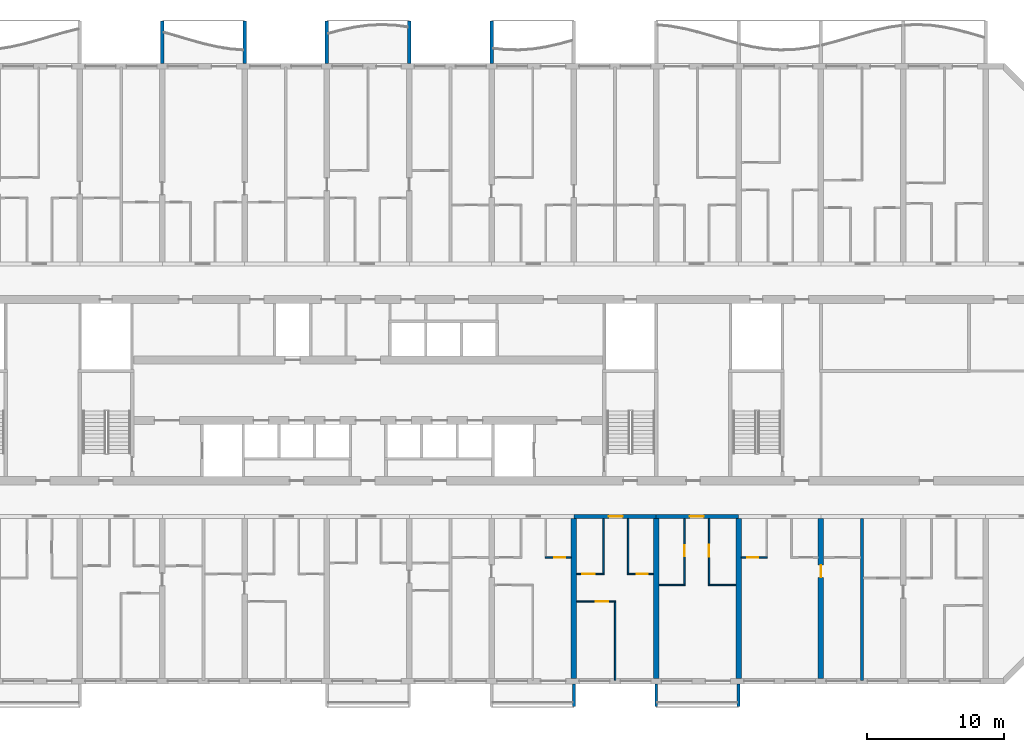
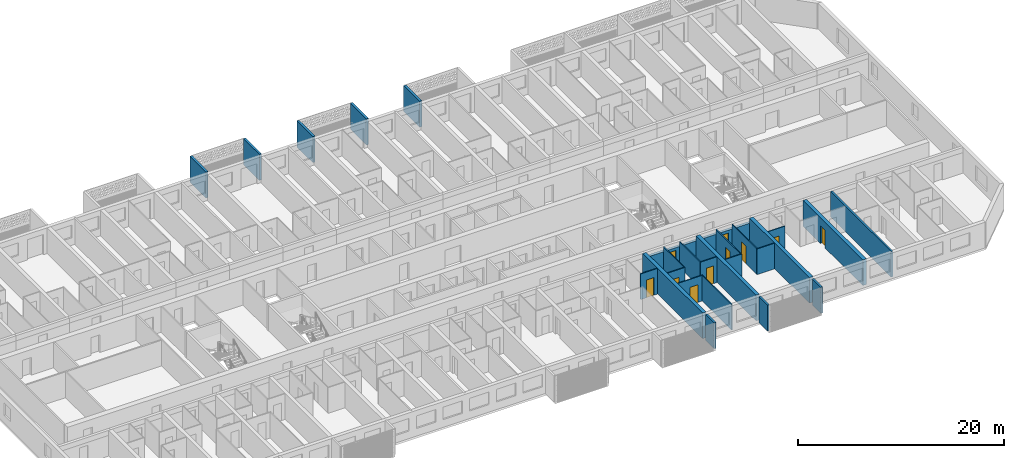
# One storey, part 14 of 40: 27 walls, 10 doors, 10 openings.
"""IFC4 building model written with IfcOpenShell, lengths in metres."""

from ifc_helpers import new_model, si_unit, direction, frame, frame_2d, origin, place, context, subcontext, project, spatial, polyline, rectangle, outline, extrude, source, transform, mapped, material, layer, layer_set, type_object, element, fill, save


model = new_model("IFC4")

# Units and contexts
model_context = context("Model", 3, precision=1e-05, world=origin(), true_north=direction((0.0, 1.0)))
body_context = subcontext(model_context, "Body", "Model", "MODEL_VIEW")
ifc_project = project(units=[si_unit("LENGTHUNIT", "METRE"), si_unit("AREAUNIT", "SQUARE_METRE"), si_unit("VOLUMEUNIT", "CUBIC_METRE"), si_unit("PLANEANGLEUNIT", "RADIAN"), si_unit("MASSUNIT", "GRAM", prefix="KILO")], contexts=[model_context])

# Site, building, storey
site_placement = place(None, origin())
site = spatial("IfcSite", under=ifc_project, at=site_placement, CompositionType="ELEMENT")
building_placement = place(site_placement, origin())
building = spatial("IfcBuilding", under=site, at=building_placement, Name="Poui Terraces", CompositionType="ELEMENT")
storey_placement = place(building_placement, frame((0.0, 0.0, 33.300048828125)))
storey = spatial("IfcBuildingStorey", under=building, at=storey_placement, Name="L08", CompositionType="ELEMENT", Elevation=33.300048828125)

# Wall, opening, door
ifc_material_1 = material(Name="Concrete 80 MPa", Category="concrete")
ifc_layer_1 = layer(ifc_material_1, 0.300048828125)
ifc_layer_set_1 = layer_set([ifc_layer_1], Name="Concrete 80 MPa")
wall_type_1 = type_object("IfcWallType", Name="CORRIDOR WALL 300 80MPa", PredefinedType="SHEAR", material=ifc_layer_set_1)
wall_1_placement = place(storey_placement, frame((66.0, 12.0, 0.0), z_axis=(0.0, 0.0, 1.0), x_axis=(1.0, 0.0, 0.0)))
wall_1 = element("IfcWall", 1, at=wall_1_placement, inside=storey, type_object=wall_type_1, Name="CORRIDOR WALL LINE B BAY 12", PredefinedType="SHEAR", context=body_context, shape_type="SweptSolid", body=[
    extrude(rectangle(XDim=6.0, YDim=0.300048828125, at=frame_2d((3.0, 0.0))), origin(), (0.0, 0.0, 1.0), 2.449951171875),
])
opening_1_placement = place(wall_1_placement, frame((2.550048828125, 0.0, 0.0)))
opening_1 = element("IfcOpeningElement", 2, at=opening_1_placement, cuts=wall_1, Name="Opening FD30S", PredefinedType="OPENING", context=body_context, shape_type="SweptSolid", body=[
    extrude(rectangle(XDim=1.0, YDim=2.10009765625, at=frame_2d((0.5, 1.050048828125))), frame((0.0, 0.16015625, 0.0), z_axis=(0.0, -1.0, 0.0), x_axis=(1.0, 0.0, 0.0)), (0.0, 0.0, 1.0), 0.320068359375),
])
ifc_material_2 = material(Name="Steel fire door", Category="steel")
door_type_1 = type_object("IfcDoorType", Name="FLAT ENTRANCE DOOR 1000 X 2100", OperationType="NOTDEFINED", PredefinedType="DOOR", material=ifc_material_2)
door_1_placement = place(opening_1_placement, frame((1.0, 0.0, 0.0), z_axis=(0.0, 0.0, 1.0), x_axis=(-1.0, 0.0, 0.0)))
door_1 = element("IfcDoor", 3, at=door_1_placement, inside=storey, type_object=door_type_1, Name="FLAT ENTRANCE DOOR 132", OperationType="SINGLE_SWING_LEFT", OverallHeight=2.10009765625, OverallWidth=1.0, PredefinedType="DOOR", context=body_context, shape_type="SweptSolid", body=[
    extrude(rectangle(XDim=1.0, YDim=2.10009765625, at=frame_2d((0.5, 1.050048828125))), frame((0.0, 0.02490234375, 0.0), z_axis=(0.0, -1.0, 0.0), x_axis=(1.0, 0.0, 0.0)), (0.0, 0.0, 1.0), 0.050048828125),
])
fill(opening_1, door_1)

wall_2_placement = place(storey_placement, frame((72.0, 12.0, 0.0), z_axis=(0.0, 0.0, 1.0), x_axis=(1.0, 0.0, 0.0)))
wall_2 = element("IfcWall", 4, at=wall_2_placement, inside=storey, type_object=wall_type_1, Name="CORRIDOR WALL LINE B BAY 13", PredefinedType="SHEAR", context=body_context, shape_type="SweptSolid", body=[
    extrude(rectangle(XDim=6.0, YDim=0.300048828125, at=frame_2d((3.0, 0.0))), origin(), (0.0, 0.0, 1.0), 2.449951171875),
])
opening_2_placement = place(wall_2_placement, frame((2.449951171875, 0.0, 0.0)))
opening_2 = element("IfcOpeningElement", 5, at=opening_2_placement, cuts=wall_2, Name="Opening FD30S", PredefinedType="OPENING", context=body_context, shape_type="SweptSolid", body=[
    extrude(rectangle(XDim=1.0, YDim=2.10009765625, at=frame_2d((0.5, 1.050048828125))), frame((0.0, 0.16015625, 0.0), z_axis=(0.0, -1.0, 0.0), x_axis=(1.0, 0.0, 0.0)), (0.0, 0.0, 1.0), 0.320068359375),
])
door_2_placement = place(opening_2_placement, frame((1.0, 0.0, 0.0), z_axis=(0.0, 0.0, 1.0), x_axis=(-1.0, 0.0, 0.0)))
door_2 = element("IfcDoor", 6, at=door_2_placement, inside=storey, type_object=door_type_1, Name="FLAT ENTRANCE DOOR 135", OperationType="SINGLE_SWING_RIGHT", OverallHeight=2.10009765625, OverallWidth=1.0, PredefinedType="DOOR", context=body_context, shape_type="SweptSolid", body=[
    extrude(rectangle(XDim=1.0, YDim=2.10009765625, at=frame_2d((0.5, 1.050048828125))), frame((0.0, 0.02490234375, 0.0), z_axis=(0.0, -1.0, 0.0), x_axis=(1.0, 0.0, 0.0)), (0.0, 0.0, 1.0), 0.050048828125),
])
fill(opening_2, door_2)

# Walls
ifc_layer_2 = layer(ifc_material_1, 0.39990234375)
ifc_layer_set_2 = layer_set([ifc_layer_2], Name="Concrete 80 MPa")
wall_type_2 = type_object("IfcWallType", Name="CROSS WALL 400 80MPa", PredefinedType="SHEAR", material=ifc_layer_set_2)
for number, where, z_axis, x_axis, name in (
    (7, (66.0, 0.199951171875, 0.0), (0.0, 0.0, 1.0), (0.0, 1.0, 0.0), "CROSS WALL LINE 12 SOUTH"),
    (8, (72.0, 0.199951171875, 0.0), (0.0, 0.0, 1.0), (0.0, 1.0, 0.0), "CROSS WALL LINE 13 SOUTH"),
    (9, (78.0, 0.199951171875, 0.0), (0.0, 0.0, 1.0), (0.0, 1.0, 0.0), "CROSS WALL LINE 14 SOUTH"),
):
    element("IfcWall", number, at=place(storey_placement, frame(where, z_axis=z_axis, x_axis=x_axis)), inside=storey, type_object=wall_type_2, Name=name, PredefinedType="SHEAR", context=body_context, shape_type="SweptSolid", body=[
        extrude(rectangle(XDim=11.650146484375, YDim=0.39990234375, at=frame_2d((5.8251953125, 0.0))), origin(), (0.0, 0.0, 1.0), 3.050048828125),
    ])

# Wall, opening, door
wall_3_placement = place(storey_placement, frame((84.0, 0.199951171875, 0.0), z_axis=(0.0, 0.0, 1.0), x_axis=(0.0, 1.0, 0.0)))
wall_3 = element("IfcWall", 10, at=wall_3_placement, inside=storey, type_object=wall_type_2, Name="CROSS WALL LINE 15 SOUTH", PredefinedType="SHEAR", context=body_context, shape_type="SweptSolid", body=[
    extrude(rectangle(XDim=11.650146484375, YDim=0.39990234375, at=frame_2d((5.8251953125, 0.0))), origin(), (0.0, 0.0, 1.0), 3.050048828125),
])
opening_3_placement = place(wall_3_placement, frame((7.35009765625, 0.0, 0.0)))
opening_3 = element("IfcOpeningElement", 11, at=opening_3_placement, cuts=wall_3, Name="Opening D90", PredefinedType="OPENING", context=body_context, shape_type="SweptSolid", body=[
    extrude(rectangle(XDim=0.89990234375, YDim=2.10009765625, at=frame_2d((0.449951171875, 1.050048828125))), frame((0.0, 0.2099609375, 0.0), z_axis=(0.0, -1.0, 0.0), x_axis=(1.0, 0.0, 0.0)), (0.0, 0.0, 1.0), 0.419921875),
])
ifc_material_3 = material(Name="Solid core timber door", Category="wood")
door_type_2 = type_object("IfcDoorType", Name="INTERNAL DOOR 900 X 2100", OperationType="NOTDEFINED", PredefinedType="DOOR", material=ifc_material_3)
door_3_placement = place(opening_3_placement, frame((0.89990234375, 0.0, 0.0), z_axis=(0.0, 0.0, 1.0), x_axis=(-1.0, 0.0, 0.0)))
door_3 = element("IfcDoor", 12, at=door_3_placement, inside=storey, type_object=door_type_2, Name="INTERNAL DOOR 141", OperationType="SINGLE_SWING_LEFT", OverallHeight=2.10009765625, OverallWidth=0.89990234375, PredefinedType="DOOR", context=body_context, shape_type="SweptSolid", body=[
    extrude(rectangle(XDim=0.89990234375, YDim=2.10009765625, at=frame_2d((0.449951171875, 1.050048828125))), frame((0.0, 0.02490234375, 0.0), z_axis=(0.0, -1.0, 0.0), x_axis=(1.0, 0.0, 0.0)), (0.0, 0.0, 1.0), 0.050048828125),
])
fill(opening_3, door_3)

ifc_material_4 = material(Name="Plasterboard partition")
ifc_layer_3 = layer(ifc_material_4, 0.10009765625)
ifc_layer_set_3 = layer_set([ifc_layer_3], Name="Plasterboard partition")
wall_type_3 = type_object("IfcWallType", Name="FLAT PARTITION 100", PredefinedType="PARTITIONING", material=ifc_layer_set_3)
wall_4_placement = place(storey_placement, frame((66.2099609375, 5.800048828125, 0.0), z_axis=(0.0, 0.0, 1.0), x_axis=(1.0, 0.0, 0.0)))
wall_4 = element("IfcWall", 13, at=wall_4_placement, inside=storey, type_object=wall_type_3, Name="FLAT PARTITION 100", PredefinedType="PARTITIONING", context=body_context, shape_type="SweptSolid", body=[
    extrude(rectangle(XDim=2.840087890625, YDim=0.10009765625, at=frame_2d((1.419921875, 0.0))), origin(), (0.0, 0.0, 1.0), 3.050048828125),
])
opening_4_placement = place(wall_4_placement, frame((1.389892578125, 0.0, 0.0)))
opening_4 = element("IfcOpeningElement", 14, at=opening_4_placement, cuts=wall_4, Name="Opening D90", PredefinedType="OPENING", context=body_context, shape_type="SweptSolid", body=[
    extrude(rectangle(XDim=0.89990234375, YDim=2.10009765625, at=frame_2d((0.449951171875, 1.050048828125))), frame((0.0, 0.06005859375, 0.0), z_axis=(0.0, -1.0, 0.0), x_axis=(1.0, 0.0, 0.0)), (0.0, 0.0, 1.0), 0.1201171875),
])
door_4_placement = place(opening_4_placement, origin())
door_4 = element("IfcDoor", 15, at=door_4_placement, inside=storey, type_object=door_type_2, Name="INTERNAL DOOR 131", OperationType="SINGLE_SWING_LEFT", OverallHeight=2.10009765625, OverallWidth=0.89990234375, PredefinedType="DOOR", context=body_context, shape_type="SweptSolid", body=[
    extrude(rectangle(XDim=0.89990234375, YDim=2.10009765625, at=frame_2d((0.449951171875, 1.050048828125))), frame((0.0, 0.02490234375, 0.0), z_axis=(0.0, -1.0, 0.0), x_axis=(1.0, 0.0, 0.0)), (0.0, 0.0, 1.0), 0.050048828125),
])
fill(opening_4, door_4)

# Walls
wall_5_placement = place(storey_placement, frame((72.2099609375, 7.0, 0.0), z_axis=(0.0, 0.0, 1.0), x_axis=(1.0, 0.0, 0.0)))
element("IfcWall", 16, at=wall_5_placement, inside=storey, type_object=wall_type_3, Name="FLAT PARTITION 100", PredefinedType="PARTITIONING", context=body_context, shape_type="SweptSolid", body=[
    extrude(rectangle(XDim=1.89013671875, YDim=0.10009765625, at=frame_2d((0.945068359375, 0.0))), origin(), (0.0, 0.0, 1.0), 3.050048828125),
])
wall_6_placement = place(storey_placement, frame((75.800048828125, 7.0, 0.0), z_axis=(0.0, 0.0, 1.0), x_axis=(1.0, 0.0, 0.0)))
element("IfcWall", 17, at=wall_6_placement, inside=storey, type_object=wall_type_3, Name="FLAT PARTITION 100", PredefinedType="PARTITIONING", context=body_context, shape_type="SweptSolid", body=[
    extrude(rectangle(XDim=1.989990234375, YDim=0.10009765625, at=frame_2d((0.9951171875, 0.0))), origin(), (0.0, 0.0, 1.0), 3.050048828125),
])

# Wall, opening, door
wall_7_placement = place(storey_placement, frame((66.2099609375, 7.800048828125, 0.0), z_axis=(0.0, 0.0, 1.0), x_axis=(1.0, 0.0, 0.0)))
wall_7 = element("IfcWall", 18, at=wall_7_placement, inside=storey, type_object=wall_type_3, Name="FLAT PARTITION 100", PredefinedType="PARTITIONING", context=body_context, shape_type="SweptSolid", body=[
    extrude(rectangle(XDim=1.989990234375, YDim=0.10009765625, at=frame_2d((0.9951171875, 0.0))), origin(), (0.0, 0.0, 1.0), 3.050048828125),
])
opening_5_placement = place(wall_7_placement, frame((0.4150390625, 0.0, 0.0)))
opening_5 = element("IfcOpeningElement", 19, at=opening_5_placement, cuts=wall_7, Name="Opening D90", PredefinedType="OPENING", context=body_context, shape_type="SweptSolid", body=[
    extrude(rectangle(XDim=0.89990234375, YDim=2.10009765625, at=frame_2d((0.449951171875, 1.050048828125))), frame((0.0, 0.06005859375, 0.0), z_axis=(0.0, -1.0, 0.0), x_axis=(1.0, 0.0, 0.0)), (0.0, 0.0, 1.0), 0.1201171875),
])
door_5_placement = place(opening_5_placement, origin())
door_5 = element("IfcDoor", 20, at=door_5_placement, inside=storey, type_object=door_type_2, Name="INTERNAL DOOR 130", OperationType="SINGLE_SWING_RIGHT", OverallHeight=2.10009765625, OverallWidth=0.89990234375, PredefinedType="DOOR", context=body_context, shape_type="SweptSolid", body=[
    extrude(rectangle(XDim=0.89990234375, YDim=2.10009765625, at=frame_2d((0.449951171875, 1.050048828125))), frame((0.0, 0.02490234375, 0.0), z_axis=(0.0, -1.0, 0.0), x_axis=(1.0, 0.0, 0.0)), (0.0, 0.0, 1.0), 0.050048828125),
])
fill(opening_5, door_5)

wall_8_placement = place(storey_placement, frame((69.89990234375, 7.800048828125, 0.0), z_axis=(0.0, 0.0, 1.0), x_axis=(1.0, 0.0, 0.0)))
wall_8 = element("IfcWall", 21, at=wall_8_placement, inside=storey, type_object=wall_type_3, Name="FLAT PARTITION 100", PredefinedType="PARTITIONING", context=body_context, shape_type="SweptSolid", body=[
    extrude(rectangle(XDim=1.89013671875, YDim=0.10009765625, at=frame_2d((0.945068359375, 0.0))), origin(), (0.0, 0.0, 1.0), 3.050048828125),
])
opening_6_placement = place(wall_8_placement, frame((0.675048828125, 0.0, 0.0)))
opening_6 = element("IfcOpeningElement", 22, at=opening_6_placement, cuts=wall_8, Name="Opening D80", PredefinedType="OPENING", context=body_context, shape_type="SweptSolid", body=[
    extrude(rectangle(XDim=0.800048828125, YDim=2.10009765625, at=frame_2d((0.39990234375, 1.050048828125))), frame((0.0, 0.06005859375, 0.0), z_axis=(0.0, -1.0, 0.0), x_axis=(1.0, 0.0, 0.0)), (0.0, 0.0, 1.0), 0.1201171875),
])
door_type_3 = type_object("IfcDoorType", Name="BATHROOM, LAUNDRY AND STORE DOOR 800 X 2100", OperationType="NOTDEFINED", PredefinedType="DOOR", material=ifc_material_3)
door_6_placement = place(opening_6_placement, origin())
door_6 = element("IfcDoor", 23, at=door_6_placement, inside=storey, type_object=door_type_3, Name="BATHROOM, LAUNDRY AND STORE DOOR 133", OperationType="SINGLE_SWING_LEFT", OverallHeight=2.10009765625, OverallWidth=0.800048828125, PredefinedType="DOOR", context=body_context, shape_type="SweptSolid", body=[
    extrude(rectangle(XDim=0.800048828125, YDim=2.10009765625, at=frame_2d((0.39990234375, 1.050048828125))), frame((0.0, 0.02490234375, 0.0), z_axis=(0.0, -1.0, 0.0), x_axis=(1.0, 0.0, 0.0)), (0.0, 0.0, 1.0), 0.050048828125),
])
fill(opening_6, door_6)

wall_9_placement = place(storey_placement, frame((63.89990234375, 9.0, 0.0), z_axis=(0.0, 0.0, 1.0), x_axis=(1.0, 0.0, 0.0)))
wall_9 = element("IfcWall", 24, at=wall_9_placement, inside=storey, type_object=wall_type_3, Name="FLAT PARTITION 100", PredefinedType="PARTITIONING", context=body_context, shape_type="SweptSolid", body=[
    extrude(rectangle(XDim=1.89013671875, YDim=0.10009765625, at=frame_2d((0.945068359375, 0.0))), origin(), (0.0, 0.0, 1.0), 3.050048828125),
])
opening_7_placement = place(wall_9_placement, frame((0.675048828125, 0.0, 0.0)))
opening_7 = element("IfcOpeningElement", 25, at=opening_7_placement, cuts=wall_9, Name="Opening D80", PredefinedType="OPENING", context=body_context, shape_type="SweptSolid", body=[
    extrude(rectangle(XDim=0.800048828125, YDim=2.10009765625, at=frame_2d((0.39990234375, 1.050048828125))), frame((0.0, 0.06005859375, 0.0), z_axis=(0.0, -1.0, 0.0), x_axis=(1.0, 0.0, 0.0)), (0.0, 0.0, 1.0), 0.1201171875),
])
door_7_placement = place(opening_7_placement, origin())
door_7 = element("IfcDoor", 26, at=door_7_placement, inside=storey, type_object=door_type_3, Name="BATHROOM, LAUNDRY AND STORE DOOR 129", OperationType="SINGLE_SWING_RIGHT", OverallHeight=2.10009765625, OverallWidth=0.800048828125, PredefinedType="DOOR", context=body_context, shape_type="SweptSolid", body=[
    extrude(rectangle(XDim=0.800048828125, YDim=2.10009765625, at=frame_2d((0.39990234375, 1.050048828125))), frame((0.0, 0.02490234375, 0.0), z_axis=(0.0, -1.0, 0.0), x_axis=(1.0, 0.0, 0.0)), (0.0, 0.0, 1.0), 0.050048828125),
])
fill(opening_7, door_7)

wall_10_placement = place(storey_placement, frame((78.2099609375, 9.0, 0.0), z_axis=(0.0, 0.0, 1.0), x_axis=(1.0, 0.0, 0.0)))
wall_10 = element("IfcWall", 27, at=wall_10_placement, inside=storey, type_object=wall_type_3, Name="FLAT PARTITION 100", PredefinedType="PARTITIONING", context=body_context, shape_type="SweptSolid", body=[
    extrude(rectangle(XDim=1.89013671875, YDim=0.10009765625, at=frame_2d((0.945068359375, 0.0))), origin(), (0.0, 0.0, 1.0), 3.050048828125),
])
opening_8_placement = place(wall_10_placement, frame((0.4150390625, 0.0, 0.0)))
opening_8 = element("IfcOpeningElement", 28, at=opening_8_placement, cuts=wall_10, Name="Opening D80", PredefinedType="OPENING", context=body_context, shape_type="SweptSolid", body=[
    extrude(rectangle(XDim=0.800048828125, YDim=2.10009765625, at=frame_2d((0.39990234375, 1.050048828125))), frame((0.0, 0.06005859375, 0.0), z_axis=(0.0, -1.0, 0.0), x_axis=(1.0, 0.0, 0.0)), (0.0, 0.0, 1.0), 0.1201171875),
])
door_8_placement = place(opening_8_placement, origin())
door_8 = element("IfcDoor", 29, at=door_8_placement, inside=storey, type_object=door_type_3, Name="BATHROOM, LAUNDRY AND STORE DOOR 138", OperationType="SINGLE_SWING_LEFT", OverallHeight=2.10009765625, OverallWidth=0.800048828125, PredefinedType="DOOR", context=body_context, shape_type="SweptSolid", body=[
    extrude(rectangle(XDim=0.800048828125, YDim=2.10009765625, at=frame_2d((0.39990234375, 1.050048828125))), frame((0.0, 0.02490234375, 0.0), z_axis=(0.0, -1.0, 0.0), x_axis=(1.0, 0.0, 0.0)), (0.0, 0.0, 1.0), 0.050048828125),
])
fill(opening_8, door_8)

# Walls
wall_11_placement = place(storey_placement, frame((68.14990234375, 7.85009765625, 0.0), z_axis=(0.0, 0.0, 1.0), x_axis=(0.0, 1.0, 0.0)))
element("IfcWall", 30, at=wall_11_placement, inside=storey, type_object=wall_type_3, Name="FLAT PARTITION 100", PredefinedType="PARTITIONING", context=body_context, shape_type="SweptSolid", body=[
    extrude(rectangle(XDim=3.989990234375, YDim=0.10009765625, at=frame_2d((1.9951171875, 0.0))), origin(), (0.0, 0.0, 1.0), 3.050048828125),
])
wall_12_placement = place(storey_placement, frame((69.0, 0.06005859375, 0.0), z_axis=(0.0, 0.0, 1.0), x_axis=(0.0, 1.0, 0.0)))
element("IfcWall", 31, at=wall_12_placement, inside=storey, type_object=wall_type_3, Name="FLAT PARTITION 100", PredefinedType="PARTITIONING", context=body_context, shape_type="SweptSolid", body=[
    extrude(rectangle(XDim=5.68994140625, YDim=0.10009765625, at=frame_2d((2.844970703125, 0.0))), origin(), (0.0, 0.0, 1.0), 3.050048828125),
])
wall_13_placement = place(storey_placement, frame((69.949951171875, 7.85009765625, 0.0), z_axis=(0.0, 0.0, 1.0), x_axis=(0.0, 1.0, 0.0)))
element("IfcWall", 32, at=wall_13_placement, inside=storey, type_object=wall_type_3, Name="FLAT PARTITION 100", PredefinedType="PARTITIONING", context=body_context, shape_type="SweptSolid", body=[
    extrude(rectangle(XDim=3.989990234375, YDim=0.10009765625, at=frame_2d((1.9951171875, 0.0))), origin(), (0.0, 0.0, 1.0), 3.050048828125),
])

# Wall, opening, door
wall_14_placement = place(storey_placement, frame((74.050048828125, 7.050048828125, 0.0), z_axis=(0.0, 0.0, 1.0), x_axis=(0.0, 1.0, 0.0)))
wall_14 = element("IfcWall", 33, at=wall_14_placement, inside=storey, type_object=wall_type_3, Name="FLAT PARTITION 100", PredefinedType="PARTITIONING", context=body_context, shape_type="SweptSolid", body=[
    extrude(rectangle(XDim=4.7900390625, YDim=0.10009765625, at=frame_2d((2.39501953125, 0.0))), origin(), (0.0, 0.0, 1.0), 3.050048828125),
])
opening_9_placement = place(wall_14_placement, frame((2.050048828125, 0.0, 0.0)))
opening_9 = element("IfcOpeningElement", 34, at=opening_9_placement, cuts=wall_14, Name="Opening D80", PredefinedType="OPENING", context=body_context, shape_type="SweptSolid", body=[
    extrude(rectangle(XDim=0.800048828125, YDim=2.10009765625, at=frame_2d((0.39990234375, 1.050048828125))), frame((0.0, 0.06005859375, 0.0), z_axis=(0.0, -1.0, 0.0), x_axis=(1.0, 0.0, 0.0)), (0.0, 0.0, 1.0), 0.1201171875),
])
door_9_placement = place(opening_9_placement, origin())
door_9 = element("IfcDoor", 35, at=door_9_placement, inside=storey, type_object=door_type_3, Name="BATHROOM, LAUNDRY AND STORE DOOR 134", OperationType="SINGLE_SWING_RIGHT", OverallHeight=2.10009765625, OverallWidth=0.800048828125, PredefinedType="DOOR", context=body_context, shape_type="SweptSolid", body=[
    extrude(rectangle(XDim=0.800048828125, YDim=2.10009765625, at=frame_2d((0.39990234375, 1.050048828125))), frame((0.0, 0.02490234375, 0.0), z_axis=(0.0, -1.0, 0.0), x_axis=(1.0, 0.0, 0.0)), (0.0, 0.0, 1.0), 0.050048828125),
])
fill(opening_9, door_9)

wall_15_placement = place(storey_placement, frame((75.85009765625, 7.050048828125, 0.0), z_axis=(0.0, 0.0, 1.0), x_axis=(0.0, 1.0, 0.0)))
wall_15 = element("IfcWall", 36, at=wall_15_placement, inside=storey, type_object=wall_type_3, Name="FLAT PARTITION 100", PredefinedType="PARTITIONING", context=body_context, shape_type="SweptSolid", body=[
    extrude(rectangle(XDim=4.7900390625, YDim=0.10009765625, at=frame_2d((2.39501953125, 0.0))), origin(), (0.0, 0.0, 1.0), 3.050048828125),
])
opening_10_placement = place(wall_15_placement, frame((2.0, 0.0, 0.0)))
opening_10 = element("IfcOpeningElement", 37, at=opening_10_placement, cuts=wall_15, Name="Opening D90", PredefinedType="OPENING", context=body_context, shape_type="SweptSolid", body=[
    extrude(rectangle(XDim=0.89990234375, YDim=2.10009765625, at=frame_2d((0.449951171875, 1.050048828125))), frame((0.0, 0.06005859375, 0.0), z_axis=(0.0, -1.0, 0.0), x_axis=(1.0, 0.0, 0.0)), (0.0, 0.0, 1.0), 0.1201171875),
])
door_10_placement = place(opening_10_placement, frame((0.89990234375, 0.0, 0.0), z_axis=(0.0, 0.0, 1.0), x_axis=(-1.0, 0.0, 0.0)))
door_10 = element("IfcDoor", 38, at=door_10_placement, inside=storey, type_object=door_type_2, Name="INTERNAL DOOR 136", OperationType="SINGLE_SWING_RIGHT", OverallHeight=2.10009765625, OverallWidth=0.89990234375, PredefinedType="DOOR", context=body_context, shape_type="SweptSolid", body=[
    extrude(rectangle(XDim=0.89990234375, YDim=2.10009765625, at=frame_2d((0.449951171875, 1.050048828125))), frame((0.0, 0.02490234375, 0.0), z_axis=(0.0, -1.0, 0.0), x_axis=(1.0, 0.0, 0.0)), (0.0, 0.0, 1.0), 0.050048828125),
])
fill(opening_10, door_10)

# Walls
ifc_material_5 = material(Name="Fire-rated masonry wall", Category="masonry")
ifc_layer_4 = layer(ifc_material_5, 0.199951171875)
ifc_layer_set_4 = layer_set([ifc_layer_4], Name="Fire-rated masonry wall")
wall_type_4 = type_object("IfcWallType", Name="FLAT PARTY WALL 200", PredefinedType="PARTITIONING", material=ifc_layer_set_4)
wall_16_placement = place(storey_placement, frame((87.0, 0.06005859375, 0.0), z_axis=(0.0, 0.0, 1.0), x_axis=(0.0, 1.0, 0.0)))
element("IfcWall", 39, at=wall_16_placement, inside=storey, type_object=wall_type_4, Name="FLAT PARTY WALL 200", PredefinedType="PARTITIONING", context=body_context, shape_type="SweptSolid", body=[
    extrude(rectangle(XDim=11.780029296875, YDim=0.199951171875, at=frame_2d((5.89013671875, 0.0))), origin(), (0.0, 0.0, 1.0), 3.050048828125),
])
ifc_material_6 = material(Name="Precast concrete 40 MPa", Category="concrete")
ifc_layer_5 = layer(ifc_material_6, 0.25)
ifc_layer_set_5 = layer_set([ifc_layer_5], Name="Precast concrete 40 MPa")
wall_type_5 = type_object("IfcWallType", Name="BALCONY FIN 250", PredefinedType="STANDARD", material=ifc_layer_set_5)
shared_shape_1 = source(origin(), body_context, "Body", "SweptSolid", [
    extrude(outline(polyline([(0.0, 0.0), (0.25, 0.0), (0.25, 3.10009765625), (0.0, 3.10009765625), (0.0, 0.0)])), origin(), (0.0, 0.0, 1.0), 3.099853515625),
])
for number, where, name in (
    (40, (35.875, 45.0, 0.0), "BALCONY FIN"),
    (41, (41.875, 45.0, 0.0), "BALCONY FIN"),
    (42, (47.875, 45.0, 0.0), "BALCONY FIN"),
    (43, (53.875, 45.0, 0.0), "BALCONY FIN"),
    (44, (59.875, 45.0, 0.0), "BALCONY FIN"),
):
    element("IfcWall", number, at=place(storey_placement, frame(where)), inside=storey, type_object=wall_type_5, Name=name, PredefinedType="STANDARD", context=body_context, shape_type="MappedRepresentation", body=[
        mapped(shared_shape_1, transform((0.0, 0.0, 0.0))),
    ])
ifc_layer_6 = layer(ifc_material_6, 0.199951171875)
ifc_layer_set_6 = layer_set([ifc_layer_6], Name="Precast concrete 40 MPa")
wall_type_6 = type_object("IfcWallType", Name="REAR FIN 200", PredefinedType="STANDARD", material=ifc_layer_set_6)
shared_shape_2 = source(origin(), body_context, "Body", "SweptSolid", [
    extrude(outline(polyline([(0.0, 0.0), (0.2001953125, 0.0), (0.2001953125, 1.650146484375), (0.0, 1.650146484375), (0.0, 0.0)])), origin(), (0.0, 0.0, 1.0), 3.099853515625),
])
for number, where, name in (
    (45, (65.89990234375, -1.85009765625, 0.0), "REAR FIN"),
    (46, (71.89990234375, -1.85009765625, 0.0), "REAR FIN"),
    (47, (77.89990234375, -1.85009765625, 0.0), "REAR FIN"),
):
    element("IfcWall", number, at=place(storey_placement, frame(where)), inside=storey, type_object=wall_type_6, Name=name, PredefinedType="STANDARD", context=body_context, shape_type="MappedRepresentation", body=[
        mapped(shared_shape_2, transform((0.0, 0.0, 0.0))),
    ])

save(model, "model.ifc")
